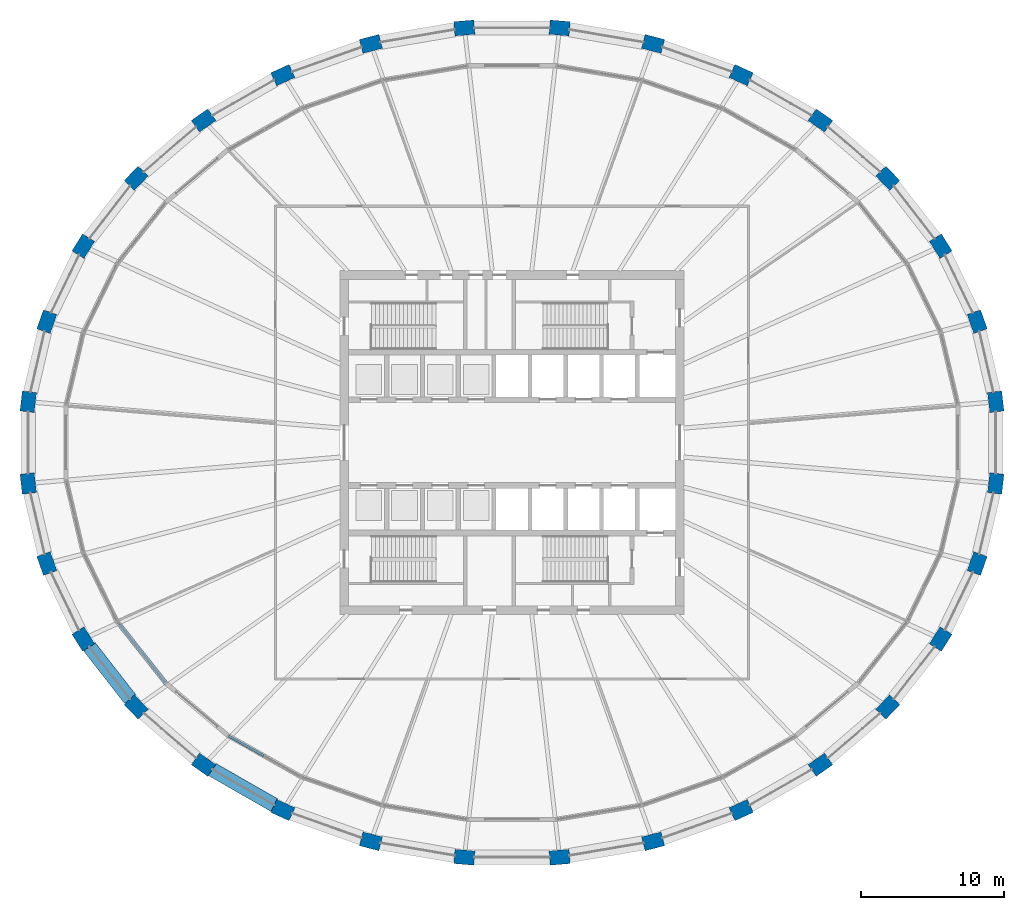
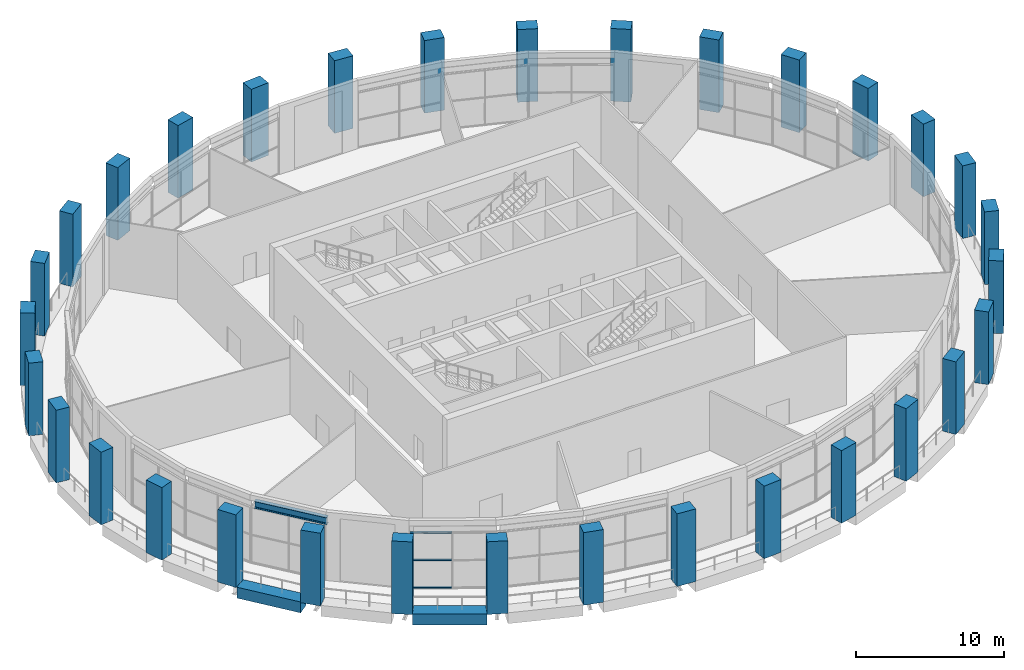
# One storey, part 1 of 19: 32 columns, 3 beams, 3 members, 1 element without a shape of its own.
"""IFC4 building model written with IfcOpenShell, lengths in metres."""

from ifc_helpers import new_model, si_unit, direction, frame, origin, origin_2d, place, context, subcontext, project, spatial, rectangle, i_section, extrude, material, material_profile, profile_set, type_object, element, aggregate, save


model = new_model("IFC4")

# Units and contexts
model_context = context("Model", 3, precision=1e-05, world=origin(), true_north=direction((0.0, 1.0)))
body_context = subcontext(model_context, "Body", "Model", "MODEL_VIEW")
ifc_project = project(units=[si_unit("LENGTHUNIT", "METRE"), si_unit("AREAUNIT", "SQUARE_METRE"), si_unit("VOLUMEUNIT", "CUBIC_METRE"), si_unit("PLANEANGLEUNIT", "RADIAN"), si_unit("MASSUNIT", "GRAM", prefix="KILO")], contexts=[model_context])

# Site, building, storey
site_placement = place(None, origin())
site = spatial("IfcSite", under=ifc_project, at=site_placement, CompositionType="ELEMENT")
building_placement = place(site_placement, origin())
building = spatial("IfcBuilding", under=site, at=building_placement, Name="Halqa Exchange Tower", CompositionType="ELEMENT")
storey_placement = place(building_placement, frame((0.0, 0.0, 167.5)))
storey = spatial("IfcBuildingStorey", under=building, at=storey_placement, Name="L38", CompositionType="ELEMENT", Elevation=167.5)

# Columns
ifc_material_1 = material(Name="Concrete C70/85", Category="concrete")
ifc_material_profile_1 = material_profile(ifc_material_1, rectangle(XDim=1.39990234375, YDim=1.0, at=origin_2d()), Name="1400 x 1000")
ifc_profile_set_1 = profile_set([ifc_material_profile_1], Name="Concrete C70/85")
column_type = type_object("IfcColumnType", Name="RC ring column 1400 x 1000 C70/85", PredefinedType="COLUMN", material=ifc_profile_set_1)
for number, where, z_axis, x_axis, name in (
    (1, (33.7578125, 2.849853515625, 0.0), (0.0, 0.0, 1.0), (-0.114155188058, 0.993462929877, 0.0), "Ring column 1"),
    (2, (32.46044921875, 8.440185546875, 0.0), (0.0, 0.0, 1.0), (-0.333634105554, 0.942702648565, 0.0), "Ring column 2"),
    (3, (29.915771484375, 13.7060546875, 0.0), (0.0, 0.0, 1.0), (-0.529143458197, 0.848532380435, 0.0), "Ring column 3"),
    (4, (26.221435546875, 18.445068359375, 0.0), (0.0, 0.0, 1.0), (-0.691578612608, 0.722301199351, 0.0), "Ring column 4"),
    (5, (21.519287109375, 22.475341796875, 0.0), (0.0, 0.0, 1.0), (-0.817910796357, 0.575345052297, 0.0), "Ring column 5"),
    (6, (15.990234375, 25.64208984375, 0.0), (0.0, 0.0, 1.0), (-0.909126368869, 0.416520402174, 0.0), "Ring column 6"),
    (7, (9.8466796875, 27.8232421875, 0.0), (0.0, 0.0, 1.0), (-0.967819503571, 0.251645402317, 0.0), "Ring column 7"),
    (8, (3.32470703125, 28.935302734375, 0.0), (0.0, 0.0, 1.0), (-0.996455225341, 0.084124811391, 0.0), "Ring column 8"),
    (9, (-3.32470703125, 28.935302734375, 0.0), (0.0, 0.0, 1.0), (-0.996455225341, -0.084124811391, 0.0), "Ring column 9"),
    (10, (-9.8466796875, 27.8232421875, 0.0), (0.0, 0.0, 1.0), (-0.967819503571, -0.251645402317, 0.0), "Ring column 10"),
    (11, (-15.990234375, 25.64208984375, 0.0), (0.0, 0.0, 1.0), (-0.909126368869, -0.416520402174, 0.0), "Ring column 11"),
    (12, (-21.519287109375, 22.475341796875, 0.0), (0.0, 0.0, 1.0), (-0.817910796357, -0.575345052297, 0.0), "Ring column 12"),
    (13, (-26.221435546875, 18.445068359375, 0.0), (0.0, 0.0, 1.0), (-0.691578612608, -0.722301199351, 0.0), "Ring column 13"),
    (14, (-29.915771484375, 13.7060546875, 0.0), (0.0, 0.0, 1.0), (-0.529143458197, -0.848532380435, 0.0), "Ring column 14"),
    (15, (-32.46044921875, 8.440185546875, 0.0), (0.0, 0.0, 1.0), (-0.333634105554, -0.942702648565, 0.0), "Ring column 15"),
    (16, (-33.7578125, 2.849853515625, 0.0), (0.0, 0.0, 1.0), (-0.114155188058, -0.993462929877, 0.0), "Ring column 16"),
    (17, (-33.7578125, -2.849853515625, 0.0), (0.0, 0.0, 1.0), (0.114155188058, -0.993462929877, 0.0), "Ring column 17"),
    (18, (-32.46044921875, -8.440185546875, 0.0), (0.0, 0.0, 1.0), (0.333634105554, -0.942702648565, 0.0), "Ring column 18"),
    (19, (-29.915771484375, -13.7060546875, 0.0), (0.0, 0.0, 1.0), (0.529143458197, -0.848532380435, 0.0), "Ring column 19"),
    (20, (-26.221435546875, -18.445068359375, 0.0), (0.0, 0.0, 1.0), (0.691578612608, -0.722301199351, 0.0), "Ring column 20"),
    (21, (-21.519287109375, -22.475341796875, 0.0), (0.0, 0.0, 1.0), (0.817910796357, -0.575345052297, 0.0), "Ring column 21"),
    (22, (-15.990234375, -25.64208984375, 0.0), (0.0, 0.0, 1.0), (0.909126368869, -0.416520402174, 0.0), "Ring column 22"),
    (23, (-9.8466796875, -27.8232421875, 0.0), (0.0, 0.0, 1.0), (0.967819503571, -0.251645402317, 0.0), "Ring column 23"),
    (24, (-3.32470703125, -28.935302734375, 0.0), (0.0, 0.0, 1.0), (0.996455225341, -0.084124811391, 0.0), "Ring column 24"),
    (25, (3.32470703125, -28.935302734375, 0.0), (0.0, 0.0, 1.0), (0.996455225341, 0.084124811391, 0.0), "Ring column 25"),
    (26, (9.8466796875, -27.8232421875, 0.0), (0.0, 0.0, 1.0), (0.967819503571, 0.251645402317, 0.0), "Ring column 26"),
    (27, (15.990234375, -25.64208984375, 0.0), (0.0, 0.0, 1.0), (0.909126368869, 0.416520402174, 0.0), "Ring column 27"),
    (28, (21.519287109375, -22.475341796875, 0.0), (0.0, 0.0, 1.0), (0.817910796357, 0.575345052297, 0.0), "Ring column 28"),
    (29, (26.221435546875, -18.445068359375, 0.0), (0.0, 0.0, 1.0), (0.691578612608, 0.722301199351, 0.0), "Ring column 29"),
    (30, (29.915771484375, -13.7060546875, 0.0), (0.0, 0.0, 1.0), (0.529143458197, 0.848532380435, 0.0), "Ring column 30"),
    (31, (32.46044921875, -8.440185546875, 0.0), (0.0, 0.0, 1.0), (0.333634105554, 0.942702648565, 0.0), "Ring column 31"),
    (32, (33.7578125, -2.849853515625, 0.0), (0.0, 0.0, 1.0), (0.114155188058, 0.993462929877, 0.0), "Ring column 32"),
):
    element("IfcColumn", number, at=place(storey_placement, frame(where, z_axis=z_axis, x_axis=x_axis)), inside=storey, type_object=column_type, Name=name, PredefinedType="COLUMN", context=body_context, shape_type="SweptSolid", body=[
        extrude(rectangle(XDim=1.39990234375, YDim=1.0, at=origin_2d()), origin(), (0.0, 0.0, 1.0), 6.0),
    ])

# Beams
ifc_material_2 = material(Name="Steel S355", Category="steel")
ifc_material_profile_2 = material_profile(ifc_material_2, i_section(OverallWidth=0.300048828125, OverallDepth=0.60009765625, WebThickness=0.015380859375, FlangeThickness=0.030029296875, FilletRadius=0.027099609375, at=origin_2d()), Name="HEB 600")
ifc_profile_set_2 = profile_set([ifc_material_profile_2], Name="Steel S355")
beam_type_1 = type_object("IfcBeamType", Name="Head beam HEB 600", PredefinedType="BEAM", material=ifc_profile_set_2)
beam_1_placement = place(storey_placement, frame((-27.3974609375, -12.689697265625, 4.89990234375), z_axis=(0.620595231128, -0.784131085407, 0.0), x_axis=(0.784131085407, 0.620595231128, 0.0)))
element("IfcBeam", 33, at=beam_1_placement, inside=storey, type_object=beam_type_1, Name="Spandrel head beam 19", PredefinedType="BEAM", context=body_context, shape_type="SweptSolid", body=[
    extrude(i_section(OverallWidth=0.300048828125, OverallDepth=0.60009765625, WebThickness=0.015380859375, FlangeThickness=0.030029296875, FilletRadius=0.027099609375, at=origin_2d()), origin(), (0.0, 0.0, 1.0), 5.283447265625),
])
ifc_material_3 = material(Name="Concrete C60/75", Category="concrete")
ifc_material_profile_3 = material_profile(ifc_material_3, rectangle(XDim=1.0, YDim=0.89990234375, at=origin_2d()), Name="1000 x 900")
ifc_profile_set_3 = profile_set([ifc_material_profile_3], Name="Concrete C60/75")
beam_type_2 = type_object("IfcBeamType", Name="RC spandrel beam 1000 x 900 C60/75", PredefinedType="SPANDREL", material=ifc_profile_set_3)
beam_2_placement = place(storey_placement, frame((-29.500244140625, -14.239013671875, -0.449951171875), z_axis=(0.614796515977, -0.78868577009, 0.0), x_axis=(0.78868577009, 0.614796515977, 0.0)))
element("IfcBeam", 34, at=beam_2_placement, inside=storey, type_object=beam_type_2, Name="Spandrel 19", PredefinedType="SPANDREL", context=body_context, shape_type="SweptSolid", body=[
    extrude(rectangle(XDim=1.0, YDim=0.89990234375, at=origin_2d()), origin(), (0.0, 0.0, 1.0), 4.658447265625),
])
beam_3_placement = place(storey_placement, frame((-20.93359375, -22.810791015625, -0.449951171875), z_axis=(0.867743165303, -0.497012876161, 0.0), x_axis=(0.497012876161, 0.867743165303, 0.0)))
element("IfcBeam", 35, at=beam_3_placement, inside=storey, type_object=beam_type_2, Name="Spandrel 21", PredefinedType="SPANDREL", context=body_context, shape_type="SweptSolid", body=[
    extrude(rectangle(XDim=1.0, YDim=0.89990234375, at=origin_2d()), origin(), (0.0, 0.0, 1.0), 5.022705078125),
])

# Curtain wall, members
ifc_material_4 = material(Name="Anodised aluminium and clear glass", Category="aluminium")
curtain_wall_type = type_object("IfcCurtainWallType", Name="Sky lobby glazing", PredefinedType="NOTDEFINED", material=ifc_material_4)
curtain_wall_placement = place(storey_placement, origin())
curtain_wall = element("IfcCurtainWall", 36, at=curtain_wall_placement, inside=storey, type_object=curtain_wall_type, Name="Sky lobby glazing run G21", PredefinedType="NOTDEFINED")
ifc_material_5 = material(Name="Anodised aluminium", Category="aluminium")
ifc_material_profile_4 = material_profile(ifc_material_5, rectangle(XDim=0.179931640625, YDim=0.070068359375, at=origin_2d()), Name="AL 70x180")
ifc_profile_set_4 = profile_set([ifc_material_profile_4], Name="Anodised aluminium")
member_type = type_object("IfcMemberType", Name="Sky lobby glazing transom 70 x 180", PredefinedType="USERDEFINED", material=ifc_profile_set_4)
member_1_placement = place(storey_placement, frame((-19.76806640625, -20.468994140625, 0.034912109375), z_axis=(0.870925282467, -0.491415457999, 0.0), x_axis=(0.491415457999, 0.870925282467, 0.0)))
member_1 = element("IfcMember", 37, at=member_1_placement, type_object=member_type, Name="G21 transom 1.1", ObjectType="TRANSOM", PredefinedType="USERDEFINED", context=body_context, shape_type="SweptSolid", body=[
    extrude(rectangle(XDim=0.179931640625, YDim=0.070068359375, at=origin_2d()), origin(), (0.0, 0.0, 1.0), 2.82080078125),
])
member_2_placement = place(storey_placement, frame((-19.76806640625, -20.468994140625, 2.300048828125), z_axis=(0.870925282467, -0.491415457999, 0.0), x_axis=(0.491415457999, 0.870925282467, 0.0)))
member_2 = element("IfcMember", 38, at=member_2_placement, type_object=member_type, Name="G21 transom 1.2", ObjectType="TRANSOM", PredefinedType="USERDEFINED", context=body_context, shape_type="SweptSolid", body=[
    extrude(rectangle(XDim=0.179931640625, YDim=0.070068359375, at=origin_2d()), origin(), (0.0, 0.0, 1.0), 2.82080078125),
])
member_3_placement = place(storey_placement, frame((-19.76806640625, -20.468994140625, 4.56494140625), z_axis=(0.870925282467, -0.491415457999, 0.0), x_axis=(0.491415457999, 0.870925282467, 0.0)))
member_3 = element("IfcMember", 39, at=member_3_placement, type_object=member_type, Name="G21 transom 1.3", ObjectType="TRANSOM", PredefinedType="USERDEFINED", context=body_context, shape_type="SweptSolid", body=[
    extrude(rectangle(XDim=0.179931640625, YDim=0.070068359375, at=origin_2d()), origin(), (0.0, 0.0, 1.0), 2.82080078125),
])
aggregate(curtain_wall, [member_1, member_2, member_3])

save(model, "model.ifc")
